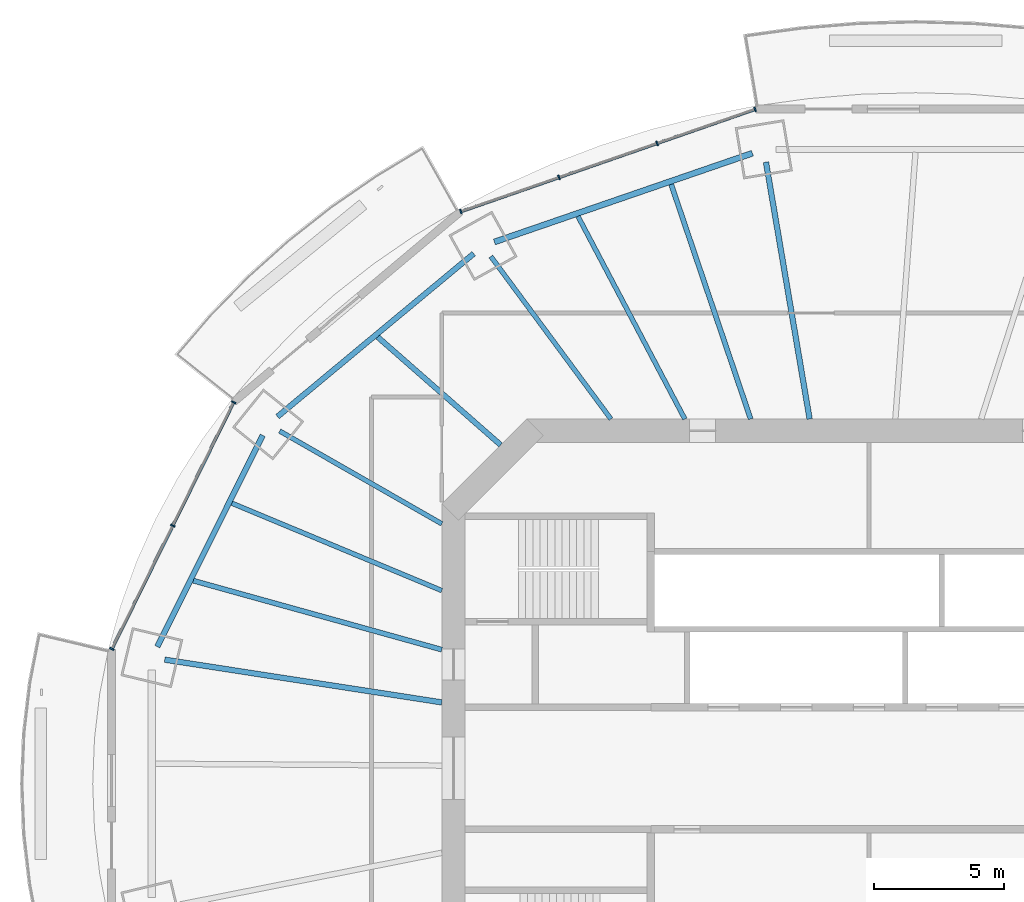
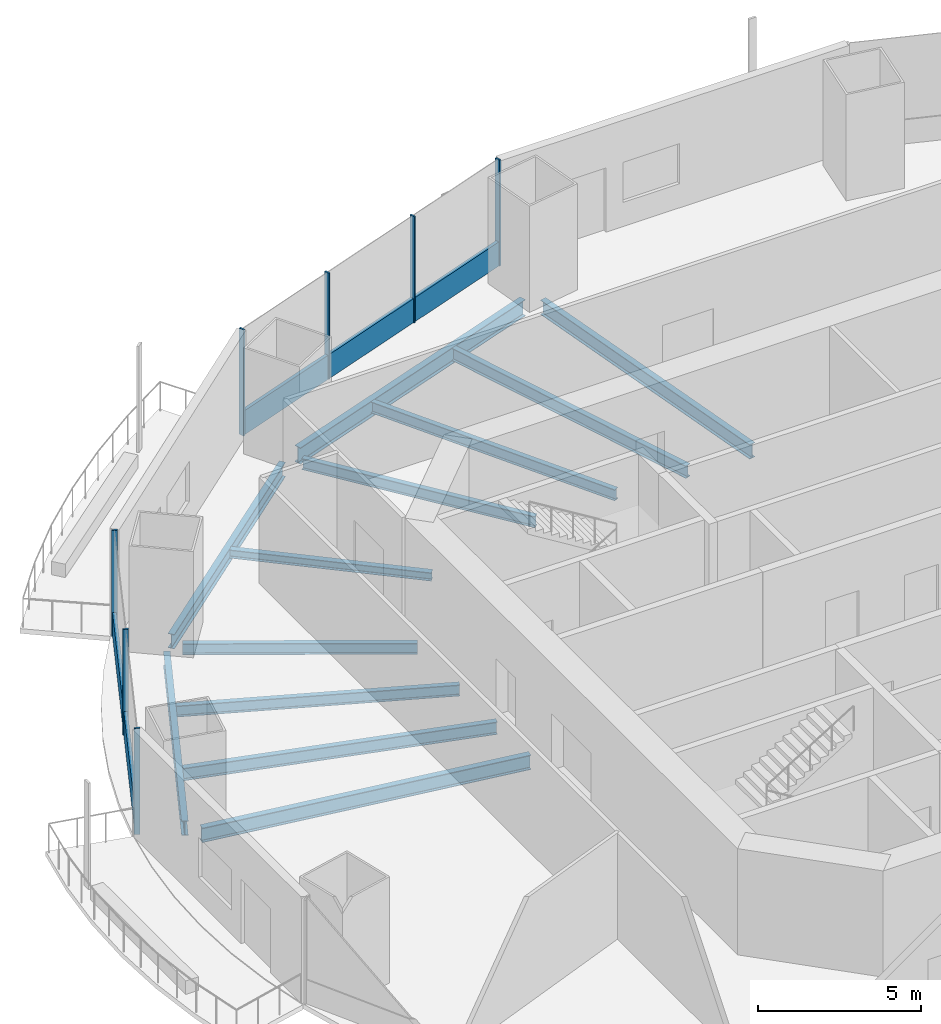
# One storey, part 6 of 21: 12 beams, 9 members, 2 elements without a shape of their own.
"""IFC4 building model written with IfcOpenShell, lengths in metres."""

from ifc_helpers import new_model, si_unit, direction, frame, origin, origin_2d, place, context, subcontext, project, spatial, rectangle, i_section, extrude, material, material_profile, profile_set, type_object, element, aggregate, save


model = new_model("IFC4")

# Units and contexts
model_context = context("Model", 3, precision=1e-05, world=origin(), true_north=direction((0.0, 1.0)))
body_context = subcontext(model_context, "Body", "Model", "MODEL_VIEW")
ifc_project = project(units=[si_unit("LENGTHUNIT", "METRE"), si_unit("AREAUNIT", "SQUARE_METRE"), si_unit("VOLUMEUNIT", "CUBIC_METRE"), si_unit("PLANEANGLEUNIT", "RADIAN"), si_unit("MASSUNIT", "GRAM", prefix="KILO")], contexts=[model_context])

# Site, building, storey
site_placement = place(None, origin())
site = spatial("IfcSite", under=ifc_project, at=site_placement, CompositionType="ELEMENT")
building_placement = place(site_placement, origin())
building = spatial("IfcBuilding", under=site, at=building_placement, Name="Marenthal Gate Tower", CompositionType="ELEMENT")
storey_placement = place(building_placement, frame((0.0, 0.0, 198.39990234375)))
storey = spatial("IfcBuildingStorey", under=building, at=storey_placement, Name="L43", CompositionType="ELEMENT", Elevation=198.39990234375)

# Curtain wall, members
ifc_material_1 = material(Name="Aluminium and glass", Category="aluminium")
curtain_wall_type = type_object("IfcCurtainWallType", Name="Curtain wall typical mid", PredefinedType="NOTDEFINED", material=ifc_material_1)
curtain_wall_1_placement = place(storey_placement, origin())
curtain_wall_1 = element("IfcCurtainWall", 1, at=curtain_wall_1_placement, inside=storey, type_object=curtain_wall_type, Name="Curtain wall L43 bay 5", PredefinedType="NOTDEFINED")
ifc_material_2 = material(Name="Aluminium", Category="aluminium")
ifc_material_profile_1 = material_profile(ifc_material_2, rectangle(XDim=0.179931640625, YDim=0.06005859375, at=origin_2d()), Name="60x180 aluminium mullion")
ifc_profile_set_1 = profile_set([ifc_material_profile_1], Name="Aluminium")
member_type_1 = type_object("IfcMemberType", Name="Mullion 60x180 typical mid", PredefinedType="MULLION", material=ifc_profile_set_1)
member_1_placement = place(storey_placement, frame((-4.3876953125, 25.3759765625, 0.0), z_axis=(0.0, 0.0, 1.0), x_axis=(0.328332307555, -0.944562277362, 0.0)))
member_1 = element("IfcMember", 2, at=member_1_placement, type_object=member_type_1, Name="Mullion L43 bay 5.1", PredefinedType="MULLION", context=body_context, shape_type="SweptSolid", body=[
    extrude(rectangle(XDim=0.179931640625, YDim=0.06005859375, at=origin_2d()), origin(), (0.0, 0.0, 1.0), 3.97021484375),
])
member_2_placement = place(storey_placement, frame((-8.16259765625, 24.06396484375, 0.0), z_axis=(0.0, 0.0, 1.0), x_axis=(0.328332307555, -0.944562277362, 0.0)))
member_2 = element("IfcMember", 3, at=member_2_placement, type_object=member_type_1, Name="Mullion L43 bay 5.2", PredefinedType="MULLION", context=body_context, shape_type="SweptSolid", body=[
    extrude(rectangle(XDim=0.179931640625, YDim=0.06005859375, at=origin_2d()), origin(), (0.0, 0.0, 1.0), 3.97021484375),
])
member_3_placement = place(storey_placement, frame((-11.937255859375, 22.751708984375, 0.0), z_axis=(0.0, 0.0, 1.0), x_axis=(0.328332307555, -0.944562277362, 0.0)))
member_3 = element("IfcMember", 4, at=member_3_placement, type_object=member_type_1, Name="Mullion L43 bay 5.3", PredefinedType="MULLION", context=body_context, shape_type="SweptSolid", body=[
    extrude(rectangle(XDim=0.179931640625, YDim=0.06005859375, at=origin_2d()), origin(), (0.0, 0.0, 1.0), 3.97021484375),
])
member_4_placement = place(storey_placement, frame((-15.712158203125, 21.439697265625, 0.0), z_axis=(0.0, 0.0, 1.0), x_axis=(0.328332307555, -0.944562277362, 0.0)))
member_4 = element("IfcMember", 5, at=member_4_placement, type_object=member_type_1, Name="Mullion L43 bay 5.4", PredefinedType="MULLION", context=body_context, shape_type="SweptSolid", body=[
    extrude(rectangle(XDim=0.179931640625, YDim=0.06005859375, at=origin_2d()), origin(), (0.0, 0.0, 1.0), 3.97021484375),
])

curtain_wall_2_placement = place(storey_placement, origin())
curtain_wall_2 = element("IfcCurtainWall", 6, at=curtain_wall_2_placement, inside=storey, type_object=curtain_wall_type, Name="Curtain wall L43 bay 7", PredefinedType="NOTDEFINED")
member_5_placement = place(storey_placement, frame((-24.464599609375, 14.093017578125, 0.0), z_axis=(0.0, 0.0, 1.0), x_axis=(0.896715617309, -0.442607164057, 0.0)))
member_5 = element("IfcMember", 7, at=member_5_placement, type_object=member_type_1, Name="Mullion L43 bay 7.1", PredefinedType="MULLION", context=body_context, shape_type="SweptSolid", body=[
    extrude(rectangle(XDim=0.179931640625, YDim=0.06005859375, at=origin_2d()), origin(), (0.0, 0.0, 1.0), 3.97021484375),
])
member_6_placement = place(storey_placement, frame((-26.808349609375, 9.34423828125, 0.0), z_axis=(0.0, 0.0, 1.0), x_axis=(0.896715617309, -0.442607164057, 0.0)))
member_6 = element("IfcMember", 8, at=member_6_placement, type_object=member_type_1, Name="Mullion L43 bay 7.2", PredefinedType="MULLION", context=body_context, shape_type="SweptSolid", body=[
    extrude(rectangle(XDim=0.179931640625, YDim=0.06005859375, at=origin_2d()), origin(), (0.0, 0.0, 1.0), 3.97021484375),
])
member_7_placement = place(storey_placement, frame((-29.152099609375, 4.595703125, 0.0), z_axis=(0.0, 0.0, 1.0), x_axis=(0.896715617309, -0.442607164057, 0.0)))
member_7 = element("IfcMember", 9, at=member_7_placement, type_object=member_type_1, Name="Mullion L43 bay 7.3", PredefinedType="MULLION", context=body_context, shape_type="SweptSolid", body=[
    extrude(rectangle(XDim=0.179931640625, YDim=0.06005859375, at=origin_2d()), origin(), (0.0, 0.0, 1.0), 3.97021484375),
])

# Member
ifc_material_3 = material(Name="Aluminium", Category="aluminium")
ifc_material_profile_2 = material_profile(ifc_material_3, rectangle(XDim=0.1201171875, YDim=0.89990234375, at=origin_2d()), Name="120x900 aluminium transom")
ifc_profile_set_2 = profile_set([ifc_material_profile_2], Name="Aluminium")
member_type_2 = type_object("IfcMemberType", Name="Transom 120x900 typical mid", PredefinedType="USERDEFINED", material=ifc_profile_set_2)
member_8_placement = place(storey_placement, frame((-4.416015625, 25.3662109375, 0.4501953125), z_axis=(-0.944561661675, -0.328334078787, 0.0), x_axis=(0.328334078787, -0.944561661675, 0.0)))
member_8 = element("IfcMember", 10, at=member_8_placement, type_object=member_type_2, Name="Transom L43 bay 5", ObjectType="TRANSOM", PredefinedType="USERDEFINED", context=body_context, shape_type="SweptSolid", body=[
    extrude(rectangle(XDim=0.1201171875, YDim=0.89990234375, at=origin_2d()), origin(), (0.0, 0.0, 1.0), 11.92919921875),
])

aggregate(curtain_wall_1, [member_1, member_2, member_3, member_4, member_8])

member_9_placement = place(storey_placement, frame((-24.477783203125, 14.06591796875, 0.4501953125), z_axis=(-0.442617393568, -0.896710568082, 0.0), x_axis=(0.896710568082, -0.442617393568, 0.0)))
member_9 = element("IfcMember", 11, at=member_9_placement, type_object=member_type_2, Name="Transom L43 bay 7", ObjectType="TRANSOM", PredefinedType="USERDEFINED", context=body_context, shape_type="SweptSolid", body=[
    extrude(rectangle(XDim=0.1201171875, YDim=0.89990234375, at=origin_2d()), origin(), (0.0, 0.0, 1.0), 10.53076171875),
])

aggregate(curtain_wall_2, [member_5, member_6, member_7, member_9])

# Beams
ifc_material_4 = material(Name="Steel S355", Category="steel")
ifc_material_profile_3 = material_profile(ifc_material_4, i_section(OverallWidth=0.205078125, OverallDepth=0.31005859375, WebThickness=0.009521484375, FlangeThickness=0.016357421875, FilletRadius=0.0126953125, at=origin_2d()), Name="W310X74")
ifc_profile_set_3 = profile_set([ifc_material_profile_3], Name="Steel S355")
beam_type_1 = type_object("IfcBeamType", Name="W310X74 beam", PredefinedType="BEAM", material=ifc_profile_set_3)
beam_1_placement = place(storey_placement, frame((-18.91943359375, 16.608154296875, -0.3349609375), z_axis=(0.751533938028, -0.659694429256, 0.0), x_axis=(0.659694429256, 0.751533938028, 0.0)))
element("IfcBeam", 12, at=beam_1_placement, inside=storey, type_object=beam_type_1, Name="BM-L43-25", PredefinedType="BEAM", context=body_context, shape_type="SweptSolid", body=[
    extrude(i_section(OverallWidth=0.205078125, OverallDepth=0.31005859375, WebThickness=0.009521484375, FlangeThickness=0.016357421875, FilletRadius=0.0126953125, at=origin_2d()), origin(), (0.0, 0.0, 1.0), 6.30029296875),
])
ifc_material_5 = material(Name="Steel S355", Category="steel")
ifc_material_profile_4 = material_profile(ifc_material_5, i_section(OverallWidth=0.180908203125, OverallDepth=0.4169921875, WebThickness=0.010986328125, FlangeThickness=0.018310546875, FilletRadius=0.01025390625, at=origin_2d()), Name="W410X85")
ifc_profile_set_4 = profile_set([ifc_material_profile_4], Name="Steel S355")
beam_type_2 = type_object("IfcBeamType", Name="W410X85 beam", PredefinedType="BEAM", material=ifc_profile_set_4)
beam_2_placement = place(storey_placement, frame((-14.560546875, 19.70703125, -0.388427734375), z_axis=(0.594245459815, -0.804283739416, 0.0), x_axis=(0.804283739416, 0.594245459815, 0.0)))
element("IfcBeam", 13, at=beam_2_placement, inside=storey, type_object=beam_type_2, Name="BM-L43-06", PredefinedType="BEAM", context=body_context, shape_type="SweptSolid", body=[
    extrude(i_section(OverallWidth=0.180908203125, OverallDepth=0.4169921875, WebThickness=0.010986328125, FlangeThickness=0.018310546875, FilletRadius=0.01025390625, at=origin_2d()), origin(), (0.0, 0.0, 1.0), 7.77978515625),
])
beam_3_placement = place(storey_placement, frame((-22.6923828125, 12.9873046875, -0.388427734375), z_axis=(0.867919181823, -0.496705439697, 0.0), x_axis=(0.496705439697, 0.867919181823, 0.0)))
element("IfcBeam", 14, at=beam_3_placement, inside=storey, type_object=beam_type_2, Name="BM-L43-07", PredefinedType="BEAM", context=body_context, shape_type="SweptSolid", body=[
    extrude(i_section(OverallWidth=0.180908203125, OverallDepth=0.4169921875, WebThickness=0.010986328125, FlangeThickness=0.018310546875, FilletRadius=0.01025390625, at=origin_2d()), origin(), (0.0, 0.0, 1.0), 7.1923828125),
])
beam_4_placement = place(storey_placement, frame((-11.204833984375, 21.253662109375, -0.388427734375), z_axis=(0.466349709383, -0.884600445714, 0.0), x_axis=(0.884600445714, 0.466349709383, 0.0)))
element("IfcBeam", 15, at=beam_4_placement, inside=storey, type_object=beam_type_2, Name="BM-L43-24", PredefinedType="BEAM", context=body_context, shape_type="SweptSolid", body=[
    extrude(i_section(OverallWidth=0.180908203125, OverallDepth=0.4169921875, WebThickness=0.010986328125, FlangeThickness=0.018310546875, FilletRadius=0.01025390625, at=origin_2d()), origin(), (0.0, 0.0, 1.0), 8.82177734375),
])
beam_5_placement = place(storey_placement, frame((-24.531982421875, 10.20751953125, -0.388427734375), z_axis=(0.923258350407, -0.384179669431, 0.0), x_axis=(0.384179669431, 0.923258350407, 0.0)))
element("IfcBeam", 16, at=beam_5_placement, inside=storey, type_object=beam_type_2, Name="BM-L43-26", PredefinedType="BEAM", context=body_context, shape_type="SweptSolid", body=[
    extrude(i_section(OverallWidth=0.180908203125, OverallDepth=0.4169921875, WebThickness=0.010986328125, FlangeThickness=0.018310546875, FilletRadius=0.01025390625, at=origin_2d()), origin(), (0.0, 0.0, 1.0), 8.75390625),
])
ifc_material_6 = material(Name="Steel S355", Category="steel")
ifc_material_profile_5 = material_profile(ifc_material_6, i_section(OverallWidth=0.193115234375, OverallDepth=0.467041015625, WebThickness=0.011474609375, FlangeThickness=0.01904296875, FilletRadius=0.010009765625, at=origin_2d()), Name="W460X97")
ifc_profile_set_5 = profile_set([ifc_material_profile_5], Name="Steel S355")
beam_type_3 = type_object("IfcBeamType", Name="W460X97 beam", PredefinedType="BEAM", material=ifc_profile_set_5)
beam_6_placement = place(storey_placement, frame((-7.6181640625, 22.48779296875, -0.413330078125), z_axis=(0.320859970295, -0.947126643835, 0.0), x_axis=(0.947126643835, 0.320859970295, 0.0)))
element("IfcBeam", 17, at=beam_6_placement, inside=storey, type_object=beam_type_3, Name="BM-L43-23", PredefinedType="BEAM", context=body_context, shape_type="SweptSolid", body=[
    extrude(i_section(OverallWidth=0.193115234375, OverallDepth=0.467041015625, WebThickness=0.011474609375, FlangeThickness=0.01904296875, FilletRadius=0.010009765625, at=origin_2d()), origin(), (0.0, 0.0, 1.0), 9.54248046875),
])
beam_7_placement = place(storey_placement, frame((-26.018798828125, 7.2255859375, -0.413330078125), z_axis=(0.963531996353, -0.267593146408, 0.0), x_axis=(0.267593146408, 0.963531996353, 0.0)))
element("IfcBeam", 18, at=beam_7_placement, inside=storey, type_object=beam_type_3, Name="BM-L43-27", PredefinedType="BEAM", context=body_context, shape_type="SweptSolid", body=[
    extrude(i_section(OverallWidth=0.193115234375, OverallDepth=0.467041015625, WebThickness=0.011474609375, FlangeThickness=0.01904296875, FilletRadius=0.010009765625, at=origin_2d()), origin(), (0.0, 0.0, 1.0), 9.930908203125),
])
ifc_material_7 = material(Name="Steel S355", Category="steel")
ifc_material_profile_6 = material_profile(ifc_material_7, i_section(OverallWidth=0.2119140625, OverallDepth=0.5439453125, WebThickness=0.01318359375, FlangeThickness=0.021240234375, FilletRadius=0.0126953125, at=origin_2d()), Name="W530X123")
ifc_profile_set_6 = profile_set([ifc_material_profile_6], Name="Steel S355")
beam_type_4 = type_object("IfcBeamType", Name="W530X123 beam", PredefinedType="BEAM", material=ifc_profile_set_6)
beam_8_placement = place(storey_placement, frame((-3.96728515625, 23.34326171875, -0.451904296875), z_axis=(0.167550331525, -0.985863523215, 0.0), x_axis=(0.985863523215, 0.167550331525, 0.0)))
element("IfcBeam", 19, at=beam_8_placement, inside=storey, type_object=beam_type_4, Name="BM-L43-05", PredefinedType="BEAM", context=body_context, shape_type="SweptSolid", body=[
    extrude(i_section(OverallWidth=0.2119140625, OverallDepth=0.5439453125, WebThickness=0.01318359375, FlangeThickness=0.021240234375, FilletRadius=0.0126953125, at=origin_2d()), origin(), (0.0, 0.0, 1.0), 10.03515625),
])
beam_9_placement = place(storey_placement, frame((-27.118408203125, 4.183837890625, -0.451904296875), z_axis=(0.988309648114, -0.152459960134, 0.0), x_axis=(0.152459960134, 0.988309648114, 0.0)))
element("IfcBeam", 20, at=beam_9_placement, inside=storey, type_object=beam_type_4, Name="BM-L43-08", PredefinedType="BEAM", context=body_context, shape_type="SweptSolid", body=[
    extrude(i_section(OverallWidth=0.2119140625, OverallDepth=0.5439453125, WebThickness=0.01318359375, FlangeThickness=0.021240234375, FilletRadius=0.0126953125, at=origin_2d()), origin(), (0.0, 0.0, 1.0), 10.794677734375),
])
beam_10_placement = place(storey_placement, frame((-15.2216796875, 19.81787109375, -0.451904296875), z_axis=(-0.769206538699, -0.639000235386, 0.0), x_axis=(0.639000235386, -0.769206538699, 0.0)))
element("IfcBeam", 21, at=beam_10_placement, inside=storey, type_object=beam_type_4, Name="BM-L43-46", PredefinedType="BEAM", context=body_context, shape_type="SweptSolid", body=[
    extrude(i_section(OverallWidth=0.2119140625, OverallDepth=0.5439453125, WebThickness=0.01318359375, FlangeThickness=0.021240234375, FilletRadius=0.0126953125, at=origin_2d()), origin(), (0.0, 0.0, 1.0), 9.8212890625),
])
beam_11_placement = place(storey_placement, frame((-23.34814453125, 12.8193359375, -0.451904296875), z_axis=(-0.44623554271, -0.894915549324, 0.0), x_axis=(0.894915549324, -0.44623554271, 0.0)))
element("IfcBeam", 22, at=beam_11_placement, inside=storey, type_object=beam_type_4, Name="BM-L43-47", PredefinedType="BEAM", context=body_context, shape_type="SweptSolid", body=[
    extrude(i_section(OverallWidth=0.2119140625, OverallDepth=0.5439453125, WebThickness=0.01318359375, FlangeThickness=0.021240234375, FilletRadius=0.0126953125, at=origin_2d()), origin(), (0.0, 0.0, 1.0), 9.088623046875),
])
ifc_material_8 = material(Name="Steel S355", Category="steel")
ifc_material_profile_7 = material_profile(ifc_material_8, i_section(OverallWidth=0.22900390625, OverallDepth=0.612060546875, WebThickness=0.011962890625, FlangeThickness=0.01953125, FilletRadius=0.0126953125, at=origin_2d()), Name="W610X125")
ifc_profile_set_7 = profile_set([ifc_material_profile_7], Name="Steel S355")
beam_type_5 = type_object("IfcBeamType", Name="W610X125 beam", PredefinedType="BEAM", material=ifc_profile_set_7)
beam_12_placement = place(storey_placement, frame((-4.489501953125, 23.685546875, -0.48583984375), z_axis=(-0.945582956363, -0.325381119053, 0.0), x_axis=(0.325381119053, -0.945582956363, 0.0)))
element("IfcBeam", 23, at=beam_12_placement, inside=storey, type_object=beam_type_5, Name="BM-L43-45", PredefinedType="BEAM", context=body_context, shape_type="SweptSolid", body=[
    extrude(i_section(OverallWidth=0.22900390625, OverallDepth=0.612060546875, WebThickness=0.011962890625, FlangeThickness=0.01953125, FilletRadius=0.0126953125, at=origin_2d()), origin(), (0.0, 0.0, 1.0), 10.50537109375),
])

save(model, "model.ifc")
